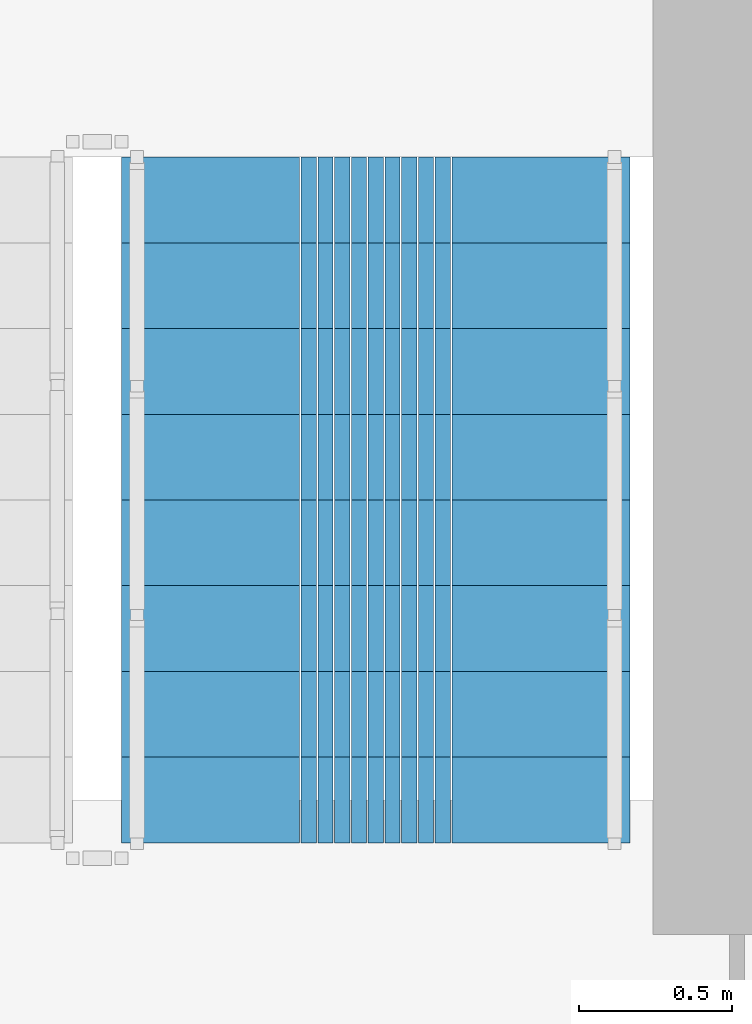
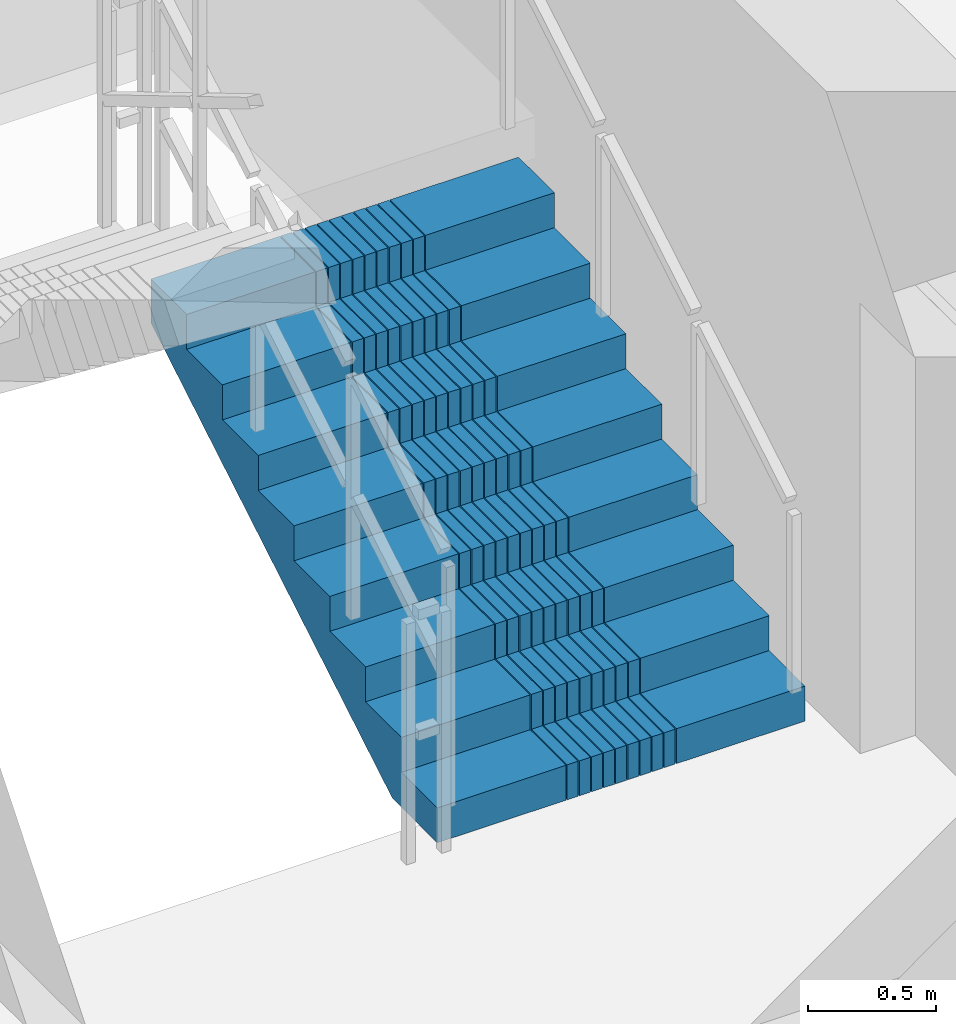
# One storey, part 9 of 13: 1 stair flight, 1 element without a shape of its own.
"""IFC4 building model written with IfcOpenShell, lengths in metres."""

from ifc_helpers import new_model, si_unit, direction, frame, origin, place, context, subcontext, project, spatial, polyline, outline, extrude, material, type_object, element, aggregate, save


model = new_model("IFC4")

# Units and contexts
model_context = context("Model", 3, precision=1e-05, world=origin(), true_north=direction((0.0, 1.0)))
body_context = subcontext(model_context, "Body", "Model", "MODEL_VIEW")
ifc_project = project(units=[si_unit("LENGTHUNIT", "METRE"), si_unit("AREAUNIT", "SQUARE_METRE"), si_unit("VOLUMEUNIT", "CUBIC_METRE"), si_unit("PLANEANGLEUNIT", "RADIAN"), si_unit("MASSUNIT", "GRAM", prefix="KILO")], contexts=[model_context])

# Site, building, storey
site_placement = place(None, origin())
site = spatial("IfcSite", under=ifc_project, at=site_placement, CompositionType="ELEMENT")
building_placement = place(site_placement, origin())
building = spatial("IfcBuilding", under=site, at=building_placement, Name="Saelheon Loggia Tower", CompositionType="ELEMENT")
storey_placement = place(building_placement, frame((0.0, 0.0, 129.75)))
storey = spatial("IfcBuildingStorey", under=building, at=storey_placement, Name="L41", CompositionType="ELEMENT", Elevation=129.75)

# Stair, stair flight
ifc_material = material(Name="Concrete C40/50", Category="concrete")
stair_type = type_object("IfcStairType", Name="Stair_Escape_Core", PredefinedType="HALF_TURN_STAIR", material=ifc_material)
stair_placement = place(storey_placement, origin())
stair = element("IfcStair", 1, at=stair_placement, inside=storey, type_object=stair_type, Name="L41 Special Escape Stair ST2", PredefinedType="HALF_TURN_STAIR")
stair_flight_type = type_object("IfcStairFlightType", Name="StairFlight_Tower_1660", PredefinedType="STRAIGHT", material=ifc_material)
stair_flight_placement = place(storey_placement, frame((43.320068359375, 30.449951171875, 0.0), z_axis=(0.0, 0.0, 1.0), x_axis=(0.0, 1.0, 0.0)))
stair_flight = element("IfcStairFlight", 2, at=stair_flight_placement, type_object=stair_flight_type, Name="ST2 flight 1", NumberOfRisers=9, NumberOfTreads=8, PredefinedType="STRAIGHT", RiserHeight=0.166666667, TreadLength=0.28, context=body_context, shape_type="SweptSolid", body=[
    extrude(outline(polyline([(0.0, 0.0), (0.0, 0.166748046875), (0.280029296875, 0.166748046875), (0.280029296875, 0.333251953125), (0.56005859375, 0.333251953125), (0.56005859375, 0.5), (0.840087890625, 0.5), (0.840087890625, 0.666748046875), (1.1201171875, 0.666748046875), (1.1201171875, 0.833251953125), (1.39990234375, 0.833251953125), (1.39990234375, 1.0), (1.679931640625, 1.0), (1.679931640625, 1.166748046875), (1.9599609375, 1.166748046875), (1.9599609375, 1.333251953125), (2.239990234375, 1.333251953125), (2.239990234375, 1.5), (2.239990234375, 1.1240234375), (0.351806640625, 0.0), (0.0, 0.0)])), frame((0.0, -0.2490234375, 0.0), z_axis=(0.0, -1.0, 0.0), x_axis=(1.0, 0.0, 0.0)), (0.0, 0.0, 1.0), 0.5810546875),
    extrude(outline(polyline([(0.0, 0.0), (0.0, 0.166748046875), (0.280029296875, 0.166748046875), (0.280029296875, 0.333251953125), (0.56005859375, 0.333251953125), (0.56005859375, 0.5), (0.840087890625, 0.5), (0.840087890625, 0.666748046875), (1.1201171875, 0.666748046875), (1.1201171875, 0.833251953125), (1.39990234375, 0.833251953125), (1.39990234375, 1.0), (1.679931640625, 1.0), (1.679931640625, 1.166748046875), (1.9599609375, 1.166748046875), (1.9599609375, 1.333251953125), (2.239990234375, 1.333251953125), (2.239990234375, 1.5), (2.239990234375, 1.1240234375), (0.351806640625, 0.0), (0.0, 0.0)])), frame((0.0, -0.194091796875, 0.0), z_axis=(0.0, -1.0, 0.0), x_axis=(1.0, 0.0, 0.0)), (0.0, 0.0, 1.0), 0.0498046875),
    extrude(outline(polyline([(0.0, 0.0), (0.0, 0.166748046875), (0.280029296875, 0.166748046875), (0.280029296875, 0.333251953125), (0.56005859375, 0.333251953125), (0.56005859375, 0.5), (0.840087890625, 0.5), (0.840087890625, 0.666748046875), (1.1201171875, 0.666748046875), (1.1201171875, 0.833251953125), (1.39990234375, 0.833251953125), (1.39990234375, 1.0), (1.679931640625, 1.0), (1.679931640625, 1.166748046875), (1.9599609375, 1.166748046875), (1.9599609375, 1.333251953125), (2.239990234375, 1.333251953125), (2.239990234375, 1.5), (2.239990234375, 1.1240234375), (0.351806640625, 0.0), (0.0, 0.0)])), frame((0.0, -0.139404296875, 0.0), z_axis=(0.0, -1.0, 0.0), x_axis=(1.0, 0.0, 0.0)), (0.0, 0.0, 1.0), 0.0498046875),
    extrude(outline(polyline([(0.0, 0.0), (0.0, 0.166748046875), (0.280029296875, 0.166748046875), (0.280029296875, 0.333251953125), (0.56005859375, 0.333251953125), (0.56005859375, 0.5), (0.840087890625, 0.5), (0.840087890625, 0.666748046875), (1.1201171875, 0.666748046875), (1.1201171875, 0.833251953125), (1.39990234375, 0.833251953125), (1.39990234375, 1.0), (1.679931640625, 1.0), (1.679931640625, 1.166748046875), (1.9599609375, 1.166748046875), (1.9599609375, 1.333251953125), (2.239990234375, 1.333251953125), (2.239990234375, 1.5), (2.239990234375, 1.1240234375), (0.351806640625, 0.0), (0.0, 0.0)])), frame((0.0, -0.084716796875, 0.0), z_axis=(0.0, -1.0, 0.0), x_axis=(1.0, 0.0, 0.0)), (0.0, 0.0, 1.0), 0.0498046875),
    extrude(outline(polyline([(0.0, 0.0), (0.0, 0.166748046875), (0.280029296875, 0.166748046875), (0.280029296875, 0.333251953125), (0.56005859375, 0.333251953125), (0.56005859375, 0.5), (0.840087890625, 0.5), (0.840087890625, 0.666748046875), (1.1201171875, 0.666748046875), (1.1201171875, 0.833251953125), (1.39990234375, 0.833251953125), (1.39990234375, 1.0), (1.679931640625, 1.0), (1.679931640625, 1.166748046875), (1.9599609375, 1.166748046875), (1.9599609375, 1.333251953125), (2.239990234375, 1.333251953125), (2.239990234375, 1.5), (2.239990234375, 1.1240234375), (0.351806640625, 0.0), (0.0, 0.0)])), frame((0.0, -0.02978515625, 0.0), z_axis=(0.0, -1.0, 0.0), x_axis=(1.0, 0.0, 0.0)), (0.0, 0.0, 1.0), 0.0498046875),
    extrude(outline(polyline([(0.0, 0.0), (0.0, 0.166748046875), (0.280029296875, 0.166748046875), (0.280029296875, 0.333251953125), (0.56005859375, 0.333251953125), (0.56005859375, 0.5), (0.840087890625, 0.5), (0.840087890625, 0.666748046875), (1.1201171875, 0.666748046875), (1.1201171875, 0.833251953125), (1.39990234375, 0.833251953125), (1.39990234375, 1.0), (1.679931640625, 1.0), (1.679931640625, 1.166748046875), (1.9599609375, 1.166748046875), (1.9599609375, 1.333251953125), (2.239990234375, 1.333251953125), (2.239990234375, 1.5), (2.239990234375, 1.1240234375), (0.351806640625, 0.0), (0.0, 0.0)])), frame((0.0, 0.02490234375, 0.0), z_axis=(0.0, -1.0, 0.0), x_axis=(1.0, 0.0, 0.0)), (0.0, 0.0, 1.0), 0.0498046875),
    extrude(outline(polyline([(0.0, 0.0), (0.0, 0.166748046875), (0.280029296875, 0.166748046875), (0.280029296875, 0.333251953125), (0.56005859375, 0.333251953125), (0.56005859375, 0.5), (0.840087890625, 0.5), (0.840087890625, 0.666748046875), (1.1201171875, 0.666748046875), (1.1201171875, 0.833251953125), (1.39990234375, 0.833251953125), (1.39990234375, 1.0), (1.679931640625, 1.0), (1.679931640625, 1.166748046875), (1.9599609375, 1.166748046875), (1.9599609375, 1.333251953125), (2.239990234375, 1.333251953125), (2.239990234375, 1.5), (2.239990234375, 1.1240234375), (0.351806640625, 0.0), (0.0, 0.0)])), frame((0.0, 0.07958984375, 0.0), z_axis=(0.0, -1.0, 0.0), x_axis=(1.0, 0.0, 0.0)), (0.0, 0.0, 1.0), 0.0498046875),
    extrude(outline(polyline([(0.0, 0.0), (0.0, 0.166748046875), (0.280029296875, 0.166748046875), (0.280029296875, 0.333251953125), (0.56005859375, 0.333251953125), (0.56005859375, 0.5), (0.840087890625, 0.5), (0.840087890625, 0.666748046875), (1.1201171875, 0.666748046875), (1.1201171875, 0.833251953125), (1.39990234375, 0.833251953125), (1.39990234375, 1.0), (1.679931640625, 1.0), (1.679931640625, 1.166748046875), (1.9599609375, 1.166748046875), (1.9599609375, 1.333251953125), (2.239990234375, 1.333251953125), (2.239990234375, 1.5), (2.239990234375, 1.1240234375), (0.351806640625, 0.0), (0.0, 0.0)])), frame((0.0, 0.134521484375, 0.0), z_axis=(0.0, -1.0, 0.0), x_axis=(1.0, 0.0, 0.0)), (0.0, 0.0, 1.0), 0.0498046875),
    extrude(outline(polyline([(0.0, 0.0), (0.0, 0.166748046875), (0.280029296875, 0.166748046875), (0.280029296875, 0.333251953125), (0.56005859375, 0.333251953125), (0.56005859375, 0.5), (0.840087890625, 0.5), (0.840087890625, 0.666748046875), (1.1201171875, 0.666748046875), (1.1201171875, 0.833251953125), (1.39990234375, 0.833251953125), (1.39990234375, 1.0), (1.679931640625, 1.0), (1.679931640625, 1.166748046875), (1.9599609375, 1.166748046875), (1.9599609375, 1.333251953125), (2.239990234375, 1.333251953125), (2.239990234375, 1.5), (2.239990234375, 1.1240234375), (0.351806640625, 0.0), (0.0, 0.0)])), frame((0.0, 0.189208984375, 0.0), z_axis=(0.0, -1.0, 0.0), x_axis=(1.0, 0.0, 0.0)), (0.0, 0.0, 1.0), 0.0498046875),
    extrude(outline(polyline([(0.0, 0.0), (0.0, 0.166748046875), (0.280029296875, 0.166748046875), (0.280029296875, 0.333251953125), (0.56005859375, 0.333251953125), (0.56005859375, 0.5), (0.840087890625, 0.5), (0.840087890625, 0.666748046875), (1.1201171875, 0.666748046875), (1.1201171875, 0.833251953125), (1.39990234375, 0.833251953125), (1.39990234375, 1.0), (1.679931640625, 1.0), (1.679931640625, 1.166748046875), (1.9599609375, 1.166748046875), (1.9599609375, 1.333251953125), (2.239990234375, 1.333251953125), (2.239990234375, 1.5), (2.239990234375, 1.1240234375), (0.351806640625, 0.0), (0.0, 0.0)])), frame((0.0, 0.243896484375, 0.0), z_axis=(0.0, -1.0, 0.0), x_axis=(1.0, 0.0, 0.0)), (0.0, 0.0, 1.0), 0.0498046875),
    extrude(outline(polyline([(0.0, 0.0), (0.0, 0.166748046875), (0.280029296875, 0.166748046875), (0.280029296875, 0.333251953125), (0.56005859375, 0.333251953125), (0.56005859375, 0.5), (0.840087890625, 0.5), (0.840087890625, 0.666748046875), (1.1201171875, 0.666748046875), (1.1201171875, 0.833251953125), (1.39990234375, 0.833251953125), (1.39990234375, 1.0), (1.679931640625, 1.0), (1.679931640625, 1.166748046875), (1.9599609375, 1.166748046875), (1.9599609375, 1.333251953125), (2.239990234375, 1.333251953125), (2.239990234375, 1.5), (2.239990234375, 1.1240234375), (0.351806640625, 0.0), (0.0, 0.0)])), frame((0.0, 0.830078125, 0.0), z_axis=(0.0, -1.0, 0.0), x_axis=(1.0, 0.0, 0.0)), (0.0, 0.0, 1.0), 0.5810546875),
])
aggregate(stair, [stair_flight])

save(model, "model.ifc")
